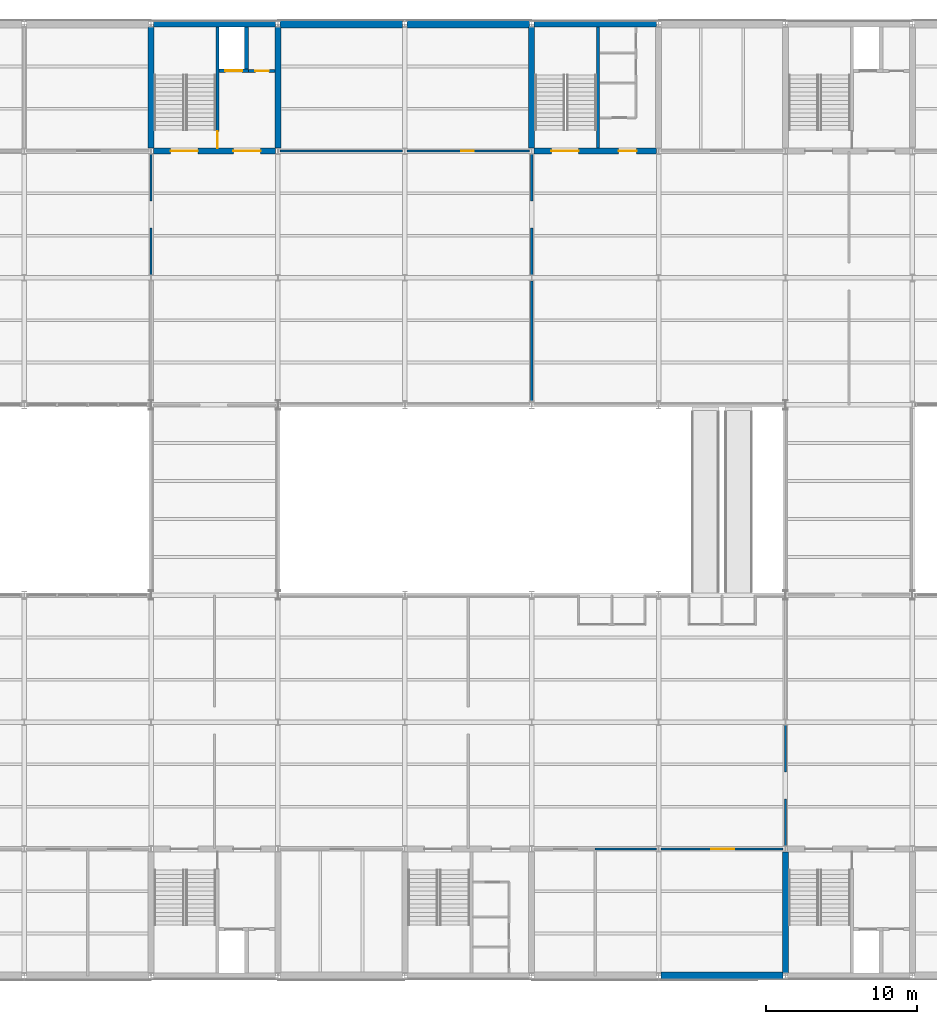
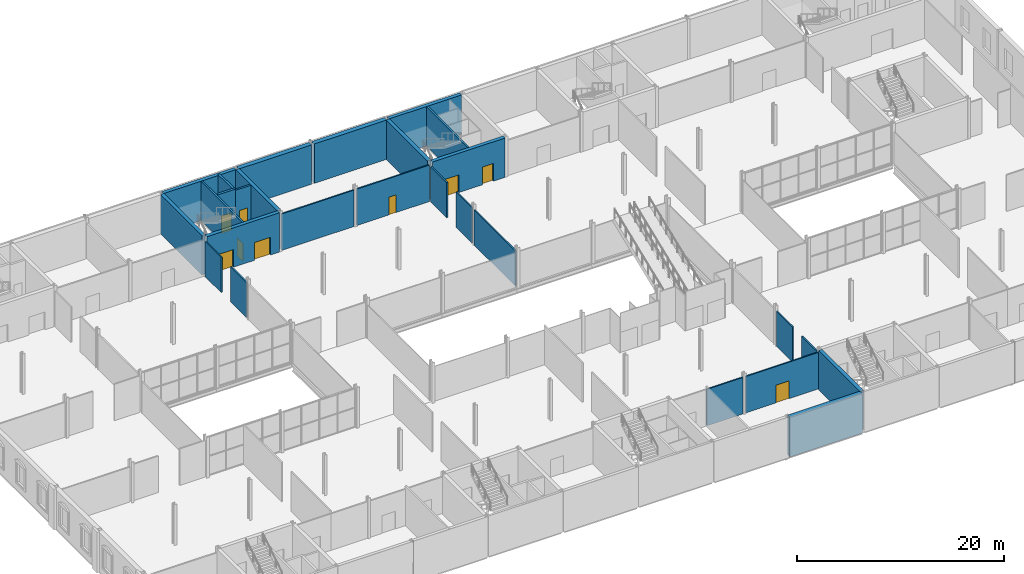
# One storey, part 30 of 57: 27 walls, 9 doors, 9 openings.
"""IFC4 building model written with IfcOpenShell, lengths in metres."""

from ifc_helpers import new_model, si_unit, direction, frame, frame_2d, origin, place, context, subcontext, project, spatial, rectangle, extrude, material, layer, layer_set, type_object, element, fill, save


model = new_model("IFC4")

# Units and contexts
model_context = context("Model", 3, precision=1e-05, world=origin(), true_north=direction((0.0, 1.0)))
body_context = subcontext(model_context, "Body", "Model", "MODEL_VIEW")
ifc_project = project(units=[si_unit("LENGTHUNIT", "METRE"), si_unit("AREAUNIT", "SQUARE_METRE"), si_unit("VOLUMEUNIT", "CUBIC_METRE"), si_unit("PLANEANGLEUNIT", "RADIAN"), si_unit("MASSUNIT", "GRAM", prefix="KILO")], contexts=[model_context])

# Site, building, storey
site_placement = place(None, origin())
site = spatial("IfcSite", under=ifc_project, at=site_placement, CompositionType="ELEMENT")
building_placement = place(site_placement, origin())
building = spatial("IfcBuilding", under=site, at=building_placement, Name="Galleria Vessillo Department Store", CompositionType="ELEMENT")
storey_placement = place(building_placement, frame((0.0, 0.0, 21.0)))
storey = spatial("IfcBuildingStorey", under=building, at=storey_placement, Name="L04", CompositionType="ELEMENT", Elevation=21.0)

# Wall, opening, door
ifc_material_1 = material(Name="Solid clay block masonry", Category="masonry")
ifc_layer_1 = layer(ifc_material_1, 0.25)
ifc_layer_set_1 = layer_set([ifc_layer_1], Name="Solid clay block masonry")
wall_type_1 = type_object("IfcWallType", Name="Lift shaft wall 250 mm", PredefinedType="SOLIDWALL", material=ifc_layer_set_1)
wall_1_placement = place(storey_placement, frame((38.10009765625, 59.925048828125, 0.0), z_axis=(0.0, 0.0, 1.0), x_axis=(1.0, 0.0, 0.0)))
wall_1 = element("IfcWall", 1, at=wall_1_placement, inside=storey, type_object=wall_type_1, Name="Lift shaft wall LP4 landing side L04", PredefinedType="SOLIDWALL", context=body_context, shape_type="SweptSolid", body=[
    extrude(rectangle(XDim=1.949951171875, YDim=0.25, at=frame_2d((0.97509765625, 0.0))), origin(), (0.0, 0.0, 1.0), 4.800048828125),
])
opening_1_placement = place(wall_1_placement, frame((0.4248046875, 0.0, 0.0)))
opening_1 = element("IfcOpeningElement", 2, at=opening_1_placement, cuts=wall_1, Name="Opening LD031", PredefinedType="OPENING", context=body_context, shape_type="SweptSolid", body=[
    extrude(rectangle(XDim=1.10009765625, YDim=2.10009765625, at=frame_2d((0.550048828125, 1.050048828125))), frame((0.0, 0.135009765625, 0.0), z_axis=(0.0, -1.0, 0.0), x_axis=(1.0, 0.0, 0.0)), (0.0, 0.0, 1.0), 0.27001953125),
])
ifc_material_2 = material(Name="Stainless steel lift door panel", Category="steel")
door_type_1 = type_object("IfcDoorType", Name="Lift landing door LD110 sliding 1100 x 2100", OperationType="SLIDING_TO_LEFT", PredefinedType="DOOR", material=ifc_material_2)
door_1_placement = place(opening_1_placement, frame((1.10009765625, 0.0, 0.0), z_axis=(0.0, 0.0, 1.0), x_axis=(-1.0, 0.0, 0.0)))
door_1 = element("IfcDoor", 3, at=door_1_placement, inside=storey, type_object=door_type_1, Name="Lift landing door LP4 L04", OperationType="SLIDING_TO_RIGHT", OverallHeight=2.10009765625, OverallWidth=1.10009765625, PredefinedType="DOOR", context=body_context, shape_type="SweptSolid", body=[
    extrude(rectangle(XDim=1.10009765625, YDim=2.10009765625, at=frame_2d((0.550048828125, 1.050048828125))), frame((0.0, 0.02490234375, 0.0), z_axis=(0.0, -1.0, 0.0), x_axis=(1.0, 0.0, 0.0)), (0.0, 0.0, 1.0), 0.050048828125),
])
fill(opening_1, door_1)

# Wall
wall_2_placement = place(storey_placement, frame((39.925048828125, 62.800048828125, 0.0), z_axis=(0.0, 0.0, 1.0), x_axis=(0.0, -1.0, 0.0)))
element("IfcWall", 4, at=wall_2_placement, inside=storey, type_object=wall_type_1, Name="Lift shaft wall LP4 L04", PredefinedType="SOLIDWALL", context=body_context, shape_type="SweptSolid", body=[
    extrude(rectangle(XDim=2.75, YDim=0.25, at=frame_2d((1.375, 0.0))), origin(), (0.0, 0.0, 1.0), 4.800048828125),
])

# Wall, openings, doors
ifc_material_3 = material(Name="Concrete C32/40 reinforced", Category="concrete")
ifc_layer_2 = layer(ifc_material_3, 0.39990234375)
ifc_layer_set_2 = layer_set([ifc_layer_2], Name="Concrete C32/40 reinforced")
wall_type_2 = type_object("IfcWallType", Name="Reinforced concrete core wall 400 mm", PredefinedType="SHEAR", material=ifc_layer_set_2)
wall_3_placement = place(storey_placement, frame((33.75, 54.60009765625, 0.0), z_axis=(0.0, 0.0, 1.0), x_axis=(1.0, 0.0, 0.0)))
wall_3 = element("IfcWall", 5, at=wall_3_placement, inside=storey, type_object=wall_type_2, Name="S-CW-PC-NM-INTERIOR-L04", PredefinedType="SHEAR", context=body_context, shape_type="SweptSolid", body=[
    extrude(rectangle(XDim=8.10009765625, YDim=0.39990234375, at=frame_2d((4.050048828125, 0.0))), origin(), (0.0, 0.0, 1.0), 4.650146484375),
])
opening_2_placement = place(wall_3_placement, frame((1.14990234375, 0.0, 0.0)))
opening_2 = element("IfcOpeningElement", 6, at=opening_2_placement, cuts=wall_3, Name="Opening D5121", PredefinedType="OPENING", context=body_context, shape_type="SweptSolid", body=[
    extrude(rectangle(XDim=1.800048828125, YDim=2.10009765625, at=frame_2d((0.89990234375, 1.050048828125))), frame((0.0, 0.2099609375, 0.0), z_axis=(0.0, -1.0, 0.0), x_axis=(1.0, 0.0, 0.0)), (0.0, 0.0, 1.0), 0.419921875),
])
opening_3_placement = place(wall_3_placement, frame((5.2998046875, 0.0, 0.0)))
opening_3 = element("IfcOpeningElement", 7, at=opening_3_placement, cuts=wall_3, Name="Opening D5122", PredefinedType="OPENING", context=body_context, shape_type="SweptSolid", body=[
    extrude(rectangle(XDim=1.800048828125, YDim=2.10009765625, at=frame_2d((0.89990234375, 1.050048828125))), frame((0.0, 0.2099609375, 0.0), z_axis=(0.0, -1.0, 0.0), x_axis=(1.0, 0.0, 0.0)), (0.0, 0.0, 1.0), 0.419921875),
])
ifc_material_4 = material(Name="Fire-rated steel door leaf", Category="steel")
door_type_2 = type_object("IfcDoorType", Name="Door D180F double leaf 1800 x 2100", OperationType="DOUBLE_DOOR_SINGLE_SWING", PredefinedType="DOOR", material=ifc_material_4)
door_2_placement = place(opening_2_placement, origin())
door_2 = element("IfcDoor", 8, at=door_2_placement, inside=storey, type_object=door_type_2, Name="Lobby door PC-NM-ST-FLOOR L04", OperationType="DOUBLE_DOOR_SINGLE_SWING", OverallHeight=2.10009765625, OverallWidth=1.800048828125, PredefinedType="DOOR", context=body_context, shape_type="SweptSolid", body=[
    extrude(rectangle(XDim=1.800048828125, YDim=2.10009765625, at=frame_2d((0.89990234375, 1.050048828125))), frame((0.0, 0.02490234375, 0.0), z_axis=(0.0, -1.0, 0.0), x_axis=(1.0, 0.0, 0.0)), (0.0, 0.0, 1.0), 0.050048828125),
])
fill(opening_2, door_2)
door_3_placement = place(opening_3_placement, origin())
door_3 = element("IfcDoor", 9, at=door_3_placement, inside=storey, type_object=door_type_2, Name="Lobby door PC-NM-LOBBY-FLOOR L04", OperationType="DOUBLE_DOOR_SINGLE_SWING", OverallHeight=2.10009765625, OverallWidth=1.800048828125, PredefinedType="DOOR", context=body_context, shape_type="SweptSolid", body=[
    extrude(rectangle(XDim=1.800048828125, YDim=2.10009765625, at=frame_2d((0.89990234375, 1.050048828125))), frame((0.0, 0.02490234375, 0.0), z_axis=(0.0, -1.0, 0.0), x_axis=(1.0, 0.0, 0.0)), (0.0, 0.0, 1.0), 0.050048828125),
])
fill(opening_3, door_3)

# Walls
for number, where, z_axis, x_axis, name in (
    (10, (33.60009765625, 54.800048828125, 0.0), (0.0, 0.0, 1.0), (0.0, 1.0, 0.0), "S-CW-PC-NM-WEST-L04"),
    (11, (42.0, 54.800048828125, 0.0), (0.0, 0.0, 1.0), (0.0, 1.0, 0.0), "S-CW-PC-NM-EAST-L04"),
    (12, (75.60009765625, 0.199951171875, 0.0), (0.0, 0.0, 1.0), (0.0, 1.0, 0.0), "S-CW-PC-SE-WEST-L04"),
):
    element("IfcWall", number, at=place(storey_placement, frame(where, z_axis=z_axis, x_axis=x_axis)), inside=storey, type_object=wall_type_2, Name=name, PredefinedType="SHEAR", context=body_context, shape_type="SweptSolid", body=[
        extrude(rectangle(XDim=8.0, YDim=0.39990234375, at=frame_2d((4.0, 0.0))), origin(), (0.0, 0.0, 1.0), 4.650146484375),
    ])

# Wall, openings, doors
wall_4_placement = place(storey_placement, frame((58.949951171875, 54.60009765625, 0.0), z_axis=(0.0, 0.0, 1.0), x_axis=(1.0, 0.0, 0.0)))
wall_4 = element("IfcWall", 13, at=wall_4_placement, inside=storey, type_object=wall_type_2, Name="S-CW-PC-NC-INTERIOR-L04", PredefinedType="SHEAR", context=body_context, shape_type="SweptSolid", body=[
    extrude(rectangle(XDim=8.10009765625, YDim=0.39990234375, at=frame_2d((4.050048828125, 0.0))), origin(), (0.0, 0.0, 1.0), 4.650146484375),
])
opening_4_placement = place(wall_4_placement, frame((1.14990234375, 0.0, 0.0)))
opening_4 = element("IfcOpeningElement", 14, at=opening_4_placement, cuts=wall_4, Name="Opening D5215", PredefinedType="OPENING", context=body_context, shape_type="SweptSolid", body=[
    extrude(rectangle(XDim=1.800048828125, YDim=2.10009765625, at=frame_2d((0.89990234375, 1.050048828125))), frame((0.0, 0.2099609375, 0.0), z_axis=(0.0, -1.0, 0.0), x_axis=(1.0, 0.0, 0.0)), (0.0, 0.0, 1.0), 0.419921875),
])
opening_5_placement = place(wall_4_placement, frame((5.599853515625, 0.0, 0.0)))
opening_5 = element("IfcOpeningElement", 15, at=opening_5_placement, cuts=wall_4, Name="Opening D5216", PredefinedType="OPENING", context=body_context, shape_type="SweptSolid", body=[
    extrude(rectangle(XDim=1.199951171875, YDim=2.10009765625, at=frame_2d((0.60009765625, 1.050048828125))), frame((0.0, 0.2099609375, 0.0), z_axis=(0.0, -1.0, 0.0), x_axis=(1.0, 0.0, 0.0)), (0.0, 0.0, 1.0), 0.419921875),
])
ifc_material_5 = material(Name="Fire-rated steel door leaf", Category="steel")
door_type_3 = type_object("IfcDoorType", Name="Door D120F fire door 1200 x 2100", OperationType="SINGLE_SWING_LEFT", PredefinedType="DOOR", material=ifc_material_5)
door_4_placement = place(opening_5_placement, origin())
door_4 = element("IfcDoor", 16, at=door_4_placement, inside=storey, type_object=door_type_3, Name="Lobby door PC-NC-WC-FLOOR L04", OperationType="SINGLE_SWING_LEFT", OverallHeight=2.10009765625, OverallWidth=1.199951171875, PredefinedType="DOOR", context=body_context, shape_type="SweptSolid", body=[
    extrude(rectangle(XDim=1.199951171875, YDim=2.10009765625, at=frame_2d((0.60009765625, 1.050048828125))), frame((0.0, 0.02490234375, 0.0), z_axis=(0.0, -1.0, 0.0), x_axis=(1.0, 0.0, 0.0)), (0.0, 0.0, 1.0), 0.050048828125),
])
fill(opening_5, door_4)
door_5_placement = place(opening_4_placement, origin())
door_5 = element("IfcDoor", 17, at=door_5_placement, inside=storey, type_object=door_type_2, Name="Lobby door PC-NC-ST-FLOOR L04", OperationType="DOUBLE_DOOR_SINGLE_SWING", OverallHeight=2.10009765625, OverallWidth=1.800048828125, PredefinedType="DOOR", context=body_context, shape_type="SweptSolid", body=[
    extrude(rectangle(XDim=1.800048828125, YDim=2.10009765625, at=frame_2d((0.89990234375, 1.050048828125))), frame((0.0, 0.02490234375, 0.0), z_axis=(0.0, -1.0, 0.0), x_axis=(1.0, 0.0, 0.0)), (0.0, 0.0, 1.0), 0.050048828125),
])
fill(opening_4, door_5)

# Walls
wall_5_placement = place(storey_placement, frame((58.800048828125, 54.800048828125, 0.0), z_axis=(0.0, 0.0, 1.0), x_axis=(0.0, 1.0, 0.0)))
element("IfcWall", 18, at=wall_5_placement, inside=storey, type_object=wall_type_2, Name="S-CW-PC-NC-WEST-L04", PredefinedType="SHEAR", context=body_context, shape_type="SweptSolid", body=[
    extrude(rectangle(XDim=8.0, YDim=0.39990234375, at=frame_2d((4.0, 0.0))), origin(), (0.0, 0.0, 1.0), 4.650146484375),
])
ifc_material_6 = material(Name="Concrete C32/40 reinforced", Category="concrete")
ifc_layer_3 = layer(ifc_material_6, 0.39990234375)
ifc_layer_set_3 = layer_set([ifc_layer_3], Name="Concrete C32/40 reinforced")
wall_type_3 = type_object("IfcWallType", Name="Reinforced concrete core wall 400 mm, external", PredefinedType="SHEAR", material=ifc_layer_set_3)
for number, where, z_axis, x_axis, name in (
    (19, (33.75, 63.0, 0.0), (0.0, 0.0, 1.0), (1.0, 0.0, 0.0), "S-CW-PC-NM-PARTY-L04"),
    (20, (58.949951171875, 63.0, 0.0), (0.0, 0.0, 1.0), (1.0, 0.0, 0.0), "S-CW-PC-NC-PARTY-L04"),
):
    element("IfcWall", number, at=place(storey_placement, frame(where, z_axis=z_axis, x_axis=x_axis)), inside=storey, type_object=wall_type_3, Name=name, PredefinedType="SHEAR", context=body_context, shape_type="SweptSolid", body=[
        extrude(rectangle(XDim=8.10009765625, YDim=0.39990234375, at=frame_2d((4.050048828125, 0.0))), origin(), (0.0, 0.0, 1.0), 4.650146484375),
    ])
ifc_material_7 = material(Name="Concrete C32/40 reinforced", Category="concrete")
ifc_layer_4 = layer(ifc_material_7, 0.5)
ifc_layer_set_4 = layer_set([ifc_layer_4], Name="Concrete C32/40 reinforced")
wall_type_4 = type_object("IfcWallType", Name="Reinforced concrete party wall 500 mm", PredefinedType="SHEAR", material=ifc_layer_set_4)
wall_6_placement = place(storey_placement, frame((67.349853515625, 0.0, 0.0), z_axis=(0.0, 0.0, 1.0), x_axis=(1.0, 0.0, 0.0)))
element("IfcWall", 21, at=wall_6_placement, inside=storey, type_object=wall_type_4, Name="S-PS-L04-06", PredefinedType="SHEAR", context=body_context, shape_type="SweptSolid", body=[
    extrude(rectangle(XDim=8.100341796875, YDim=0.5, at=frame_2d((4.05029296875, 0.0))), origin(), (0.0, 0.0, 1.0), 4.650146484375),
])
wall_7_placement = place(storey_placement, frame((42.14990234375, 63.0, 0.0), z_axis=(0.0, 0.0, 1.0), x_axis=(1.0, 0.0, 0.0)))
element("IfcWall", 22, at=wall_7_placement, inside=storey, type_object=wall_type_4, Name="S-PN-L04-04", PredefinedType="SHEAR", context=body_context, shape_type="SweptSolid", body=[
    extrude(rectangle(XDim=8.10009765625, YDim=0.5, at=frame_2d((4.050048828125, 0.0))), origin(), (0.0, 0.0, 1.0), 4.650146484375),
])
wall_8_placement = place(storey_placement, frame((50.5498046875, 63.0, 0.0), z_axis=(0.0, 0.0, 1.0), x_axis=(1.0, 0.0, 0.0)))
element("IfcWall", 23, at=wall_8_placement, inside=storey, type_object=wall_type_4, Name="S-PN-L04-05", PredefinedType="SHEAR", context=body_context, shape_type="SweptSolid", body=[
    extrude(rectangle(XDim=8.100341796875, YDim=0.5, at=frame_2d((4.05029296875, 0.0))), origin(), (0.0, 0.0, 1.0), 4.650146484375),
])

# Wall, opening, door
ifc_material_8 = material(Name="Concrete C32/40 reinforced", Category="concrete")
ifc_layer_5 = layer(ifc_material_8, 0.199951171875)
ifc_layer_set_5 = layer_set([ifc_layer_5], Name="Concrete C32/40 reinforced")
wall_type_5 = type_object("IfcWallType", Name="Reinforced concrete stair enclosure wall 200 mm", PredefinedType="SHEAR", material=ifc_layer_set_5)
wall_9_placement = place(storey_placement, frame((38.0, 62.800048828125, 0.0), z_axis=(0.0, 0.0, 1.0), x_axis=(0.0, -1.0, 0.0)))
wall_9 = element("IfcWall", 24, at=wall_9_placement, inside=storey, type_object=wall_type_5, Name="Stair enclosure wall PC-NM L04", PredefinedType="SHEAR", context=body_context, shape_type="SweptSolid", body=[
    extrude(rectangle(XDim=8.0, YDim=0.199951171875, at=frame_2d((4.0, 0.0))), origin(), (0.0, 0.0, 1.0), 4.64990234375),
])
opening_6_placement = place(wall_9_placement, frame((6.89990234375, 0.0, 0.0)))
opening_6 = element("IfcOpeningElement", 25, at=opening_6_placement, cuts=wall_9, Name="Opening D5119", PredefinedType="OPENING", context=body_context, shape_type="SweptSolid", body=[
    extrude(rectangle(XDim=1.11009765625, YDim=2.10009765625, at=frame_2d((0.554931640625, 1.050048828125))), frame((0.0, 0.10986328125, 0.0), z_axis=(0.0, -1.0, 0.0), x_axis=(1.0, 0.0, 0.0)), (0.0, 0.0, 1.0), 0.219970703125),
])
ifc_material_9 = material(Name="Fire-rated steel door leaf", Category="steel")
door_type_4 = type_object("IfcDoorType", Name="Door D110F stair door 1100 x 2100", OperationType="SINGLE_SWING_LEFT", PredefinedType="DOOR", material=ifc_material_9)
door_6_placement = place(opening_6_placement, frame((1.10009765625, 0.0, 0.0), z_axis=(0.0, 0.0, 1.0), x_axis=(-1.0, 0.0, 0.0)))
door_6 = element("IfcDoor", 26, at=door_6_placement, inside=storey, type_object=door_type_4, Name="Stair door PC-NM-ST-LOBBY L04", OperationType="SINGLE_SWING_LEFT", OverallHeight=2.10009765625, OverallWidth=1.10009765625, PredefinedType="DOOR", context=body_context, shape_type="SweptSolid", body=[
    extrude(rectangle(XDim=1.10009765625, YDim=2.10009765625, at=frame_2d((0.550048828125, 1.050048828125))), frame((0.0, 0.02490234375, 0.0), z_axis=(0.0, -1.0, 0.0), x_axis=(1.0, 0.0, 0.0)), (0.0, 0.0, 1.0), 0.050048828125),
])
fill(opening_6, door_6)

# Wall
wall_10_placement = place(storey_placement, frame((63.199951171875, 62.800048828125, 0.0), z_axis=(0.0, 0.0, 1.0), x_axis=(0.0, -1.0, 0.0)))
element("IfcWall", 27, at=wall_10_placement, inside=storey, type_object=wall_type_5, Name="Stair enclosure wall PC-NC L04", PredefinedType="SHEAR", context=body_context, shape_type="SweptSolid", body=[
    extrude(rectangle(XDim=8.0, YDim=0.199951171875, at=frame_2d((4.0, 0.0))), origin(), (0.0, 0.0, 1.0), 4.64990234375),
])

# Wall, opening, door
ifc_material_10 = material(Name="Hollow clay block masonry", Category="masonry")
ifc_layer_6 = layer(ifc_material_10, 0.199951171875)
ifc_layer_set_6 = layer_set([ifc_layer_6], Name="Hollow clay block masonry")
wall_type_6 = type_object("IfcWallType", Name="Riser and service room wall 200 mm", PredefinedType="PARTITIONING", material=ifc_layer_set_6)
wall_11_placement = place(storey_placement, frame((40.050048828125, 59.900146484375, 0.0), z_axis=(0.0, 0.0, 1.0), x_axis=(1.0, 0.0, 0.0)))
wall_11 = element("IfcWall", 28, at=wall_11_placement, inside=storey, type_object=wall_type_6, Name="Riser wall PC-NM-RISER L04", PredefinedType="PARTITIONING", context=body_context, shape_type="SweptSolid", body=[
    extrude(rectangle(XDim=1.75, YDim=0.199951171875, at=frame_2d((0.875, 0.0))), origin(), (0.0, 0.0, 1.0), 4.64990234375),
])
opening_7_placement = place(wall_11_placement, frame((0.449951171875, 0.0, 0.0)))
opening_7 = element("IfcOpeningElement", 29, at=opening_7_placement, cuts=wall_11, Name="Opening D5120", PredefinedType="OPENING", context=body_context, shape_type="SweptSolid", body=[
    extrude(rectangle(XDim=0.89990234375, YDim=2.10009765625, at=frame_2d((0.449951171875, 1.050048828125))), frame((0.0, 0.10986328125, 0.0), z_axis=(0.0, -1.0, 0.0), x_axis=(1.0, 0.0, 0.0)), (0.0, 0.0, 1.0), 0.219970703125),
])
ifc_material_11 = material(Name="Fire-rated steel door leaf", Category="steel")
door_type_5 = type_object("IfcDoorType", Name="Door DR90 riser access 900 x 2100", OperationType="SINGLE_SWING_LEFT", PredefinedType="DOOR", material=ifc_material_11)
door_7_placement = place(opening_7_placement, origin())
door_7 = element("IfcDoor", 30, at=door_7_placement, inside=storey, type_object=door_type_5, Name="Riser door PC-NM-RISER-D L04", OperationType="SINGLE_SWING_RIGHT", OverallHeight=2.10009765625, OverallWidth=0.89990234375, PredefinedType="DOOR", context=body_context, shape_type="SweptSolid", body=[
    extrude(rectangle(XDim=0.89990234375, YDim=2.10009765625, at=frame_2d((0.449951171875, 1.050048828125))), frame((0.0, 0.02490234375, 0.0), z_axis=(0.0, -1.0, 0.0), x_axis=(1.0, 0.0, 0.0)), (0.0, 0.0, 1.0), 0.050048828125),
])
fill(opening_7, door_7)

# Walls
ifc_material_12 = material(Name="Gypsum board partition")
ifc_layer_7 = layer(ifc_material_12, 0.139892578125)
ifc_layer_set_7 = layer_set([ifc_layer_7], Name="Gypsum board partition")
wall_type_7 = type_object("IfcWallType", Name="Sales dividing wall 140 mm", PredefinedType="PARTITIONING", material=ifc_layer_set_7)
for number, where, z_axis, x_axis, name in (
    (31, (75.60009765625, 8.599853515625, 0.0), (0.0, 0.0, 1.0), (0.0, 1.0, 0.0), "Partition wall PT3 on L04 no. 046"),
    (32, (75.60009765625, 13.5, 0.0), (0.0, 0.0, 1.0), (0.0, 1.0, 0.0), "Partition wall PT3 on L04 no. 047"),
    (33, (33.60009765625, 46.39990234375, 0.0), (0.0, 0.0, 1.0), (0.0, 1.0, 0.0), "Partition wall PT3 on L04 no. 065"),
    (34, (33.60009765625, 51.300048828125, 0.0), (0.0, 0.0, 1.0), (0.0, 1.0, 0.0), "Partition wall PT3 on L04 no. 066"),
):
    element("IfcWall", number, at=place(storey_placement, frame(where, z_axis=z_axis, x_axis=x_axis)), inside=storey, type_object=wall_type_7, Name=name, PredefinedType="PARTITIONING", context=body_context, shape_type="SweptSolid", body=[
        extrude(rectangle(XDim=3.10009765625, YDim=0.139892578125, at=frame_2d((1.550048828125, 0.0))), origin(), (0.0, 0.0, 1.0), 4.159912109375),
    ])
wall_12_placement = place(storey_placement, frame((58.800048828125, 38.06201171875, 0.0), z_axis=(0.0, 0.0, 1.0), x_axis=(0.0, 1.0, 0.0)))
element("IfcWall", 35, at=wall_12_placement, inside=storey, type_object=wall_type_7, Name="Partition wall PT3 on L04 no. 067", PredefinedType="PARTITIONING", context=body_context, shape_type="SweptSolid", body=[
    extrude(rectangle(XDim=7.93798828125, YDim=0.139892578125, at=frame_2d((3.968994140625, 0.0))), origin(), (0.0, 0.0, 1.0), 4.159912109375),
])
for number, where, z_axis, x_axis, name in (
    (36, (58.800048828125, 46.39990234375, 0.0), (0.0, 0.0, 1.0), (0.0, 1.0, 0.0), "Partition wall PT3 on L04 no. 068"),
    (37, (58.800048828125, 51.300048828125, 0.0), (0.0, 0.0, 1.0), (0.0, 1.0, 0.0), "Partition wall PT3 on L04 no. 069"),
):
    element("IfcWall", number, at=place(storey_placement, frame(where, z_axis=z_axis, x_axis=x_axis)), inside=storey, type_object=wall_type_7, Name=name, PredefinedType="PARTITIONING", context=body_context, shape_type="SweptSolid", body=[
        extrude(rectangle(XDim=3.10009765625, YDim=0.139892578125, at=frame_2d((1.550048828125, 0.0))), origin(), (0.0, 0.0, 1.0), 4.159912109375),
    ])
ifc_material_13 = material(Name="Concrete blockwork", Category="masonry")
ifc_layer_8 = layer(ifc_material_13, 0.14990234375)
ifc_layer_set_8 = layer_set([ifc_layer_8], Name="Concrete blockwork")
wall_type_8 = type_object("IfcWallType", Name="Stockroom blockwork wall 150 mm", PredefinedType="SOLIDWALL", material=ifc_layer_set_8)
wall_13_placement = place(storey_placement, frame((63.0, 8.39990234375, 0.0), z_axis=(0.0, 0.0, 1.0), x_axis=(1.0, 0.0, 0.0)))
element("IfcWall", 38, at=wall_13_placement, inside=storey, type_object=wall_type_8, Name="Partition wall PT4 on L04 no. 021", PredefinedType="SOLIDWALL", context=body_context, shape_type="SweptSolid", body=[
    extrude(rectangle(XDim=4.050048828125, YDim=0.14990234375, at=frame_2d((2.02490234375, 0.0))), origin(), (0.0, 0.0, 1.0), 4.300048828125),
])

# Wall, opening, door
wall_14_placement = place(storey_placement, frame((67.349853515625, 8.39990234375, 0.0), z_axis=(0.0, 0.0, 1.0), x_axis=(1.0, 0.0, 0.0)))
wall_14 = element("IfcWall", 39, at=wall_14_placement, inside=storey, type_object=wall_type_8, Name="Partition wall PT4 on L04 no. 022", PredefinedType="SOLIDWALL", context=body_context, shape_type="SweptSolid", body=[
    extrude(rectangle(XDim=8.100341796875, YDim=0.14990234375, at=frame_2d((4.05029296875, 0.0))), origin(), (0.0, 0.0, 1.0), 4.300048828125),
])
opening_8_placement = place(wall_14_placement, frame((3.35009765625, 0.0, 0.0)))
opening_8 = element("IfcOpeningElement", 40, at=opening_8_placement, cuts=wall_14, Name="Opening D2612", PredefinedType="OPENING", context=body_context, shape_type="SweptSolid", body=[
    extrude(rectangle(XDim=1.5, YDim=2.10009765625, at=frame_2d((0.75, 1.050048828125))), frame((0.0, 0.0849609375, 0.0), z_axis=(0.0, -1.0, 0.0), x_axis=(1.0, 0.0, 0.0)), (0.0, 0.0, 1.0), 0.169921875),
])
ifc_material_14 = material(Name="Steel fire door leaf", Category="steel")
door_type_6 = type_object("IfcDoorType", Name="Stockroom fire door 1500 double leaf", OperationType="DOUBLE_DOOR_SINGLE_SWING", PredefinedType="DOOR", material=ifc_material_14)
door_8_placement = place(opening_8_placement, frame((1.5, 0.0, 0.0), z_axis=(0.0, 0.0, 1.0), x_axis=(-1.0, 0.0, 0.0)))
door_8 = element("IfcDoor", 41, at=door_8_placement, inside=storey, type_object=door_type_6, Name="Door D2612", OperationType="DOUBLE_DOOR_SINGLE_SWING", OverallHeight=2.10009765625, OverallWidth=1.5, PredefinedType="DOOR", context=body_context, shape_type="SweptSolid", body=[
    extrude(rectangle(XDim=1.5, YDim=2.10009765625, at=frame_2d((0.75, 1.050048828125))), frame((0.0, 0.02490234375, 0.0), z_axis=(0.0, -1.0, 0.0), x_axis=(1.0, 0.0, 0.0)), (0.0, 0.0, 1.0), 0.050048828125),
])
fill(opening_8, door_8)

# Wall
wall_15_placement = place(storey_placement, frame((42.14990234375, 54.60009765625, 0.0), z_axis=(0.0, 0.0, 1.0), x_axis=(1.0, 0.0, 0.0)))
element("IfcWall", 42, at=wall_15_placement, inside=storey, type_object=wall_type_8, Name="Partition wall PT4 on L04 no. 031", PredefinedType="SOLIDWALL", context=body_context, shape_type="SweptSolid", body=[
    extrude(rectangle(XDim=8.10009765625, YDim=0.14990234375, at=frame_2d((4.050048828125, 0.0))), origin(), (0.0, 0.0, 1.0), 4.300048828125),
])

# Wall, opening, door
wall_16_placement = place(storey_placement, frame((50.5498046875, 54.60009765625, 0.0), z_axis=(0.0, 0.0, 1.0), x_axis=(1.0, 0.0, 0.0)))
wall_16 = element("IfcWall", 43, at=wall_16_placement, inside=storey, type_object=wall_type_8, Name="Partition wall PT4 on L04 no. 032", PredefinedType="SOLIDWALL", context=body_context, shape_type="SweptSolid", body=[
    extrude(rectangle(XDim=8.100341796875, YDim=0.14990234375, at=frame_2d((4.05029296875, 0.0))), origin(), (0.0, 0.0, 1.0), 4.300048828125),
])
opening_9_placement = place(wall_16_placement, frame((3.60009765625, 0.0, 0.0)))
opening_9 = element("IfcOpeningElement", 44, at=opening_9_placement, cuts=wall_16, Name="Opening D2619", PredefinedType="OPENING", context=body_context, shape_type="SweptSolid", body=[
    extrude(rectangle(XDim=0.800048828125, YDim=2.10009765625, at=frame_2d((0.39990234375, 1.050048828125))), frame((0.0, 0.0849609375, 0.0), z_axis=(0.0, -1.0, 0.0), x_axis=(1.0, 0.0, 0.0)), (0.0, 0.0, 1.0), 0.169921875),
])
ifc_material_15 = material(Name="Steel fire door leaf", Category="steel")
door_type_7 = type_object("IfcDoorType", Name="Fire door 800 staff door", OperationType="SINGLE_SWING_LEFT", PredefinedType="DOOR", material=ifc_material_15)
door_9_placement = place(opening_9_placement, origin())
door_9 = element("IfcDoor", 45, at=door_9_placement, inside=storey, type_object=door_type_7, Name="Door D2619", OperationType="SINGLE_SWING_RIGHT", OverallHeight=2.10009765625, OverallWidth=0.800048828125, PredefinedType="DOOR", context=body_context, shape_type="SweptSolid", body=[
    extrude(rectangle(XDim=0.800048828125, YDim=2.10009765625, at=frame_2d((0.39990234375, 1.050048828125))), frame((0.0, 0.02490234375, 0.0), z_axis=(0.0, -1.0, 0.0), x_axis=(1.0, 0.0, 0.0)), (0.0, 0.0, 1.0), 0.050048828125),
])
fill(opening_9, door_9)

save(model, "model.ifc")
